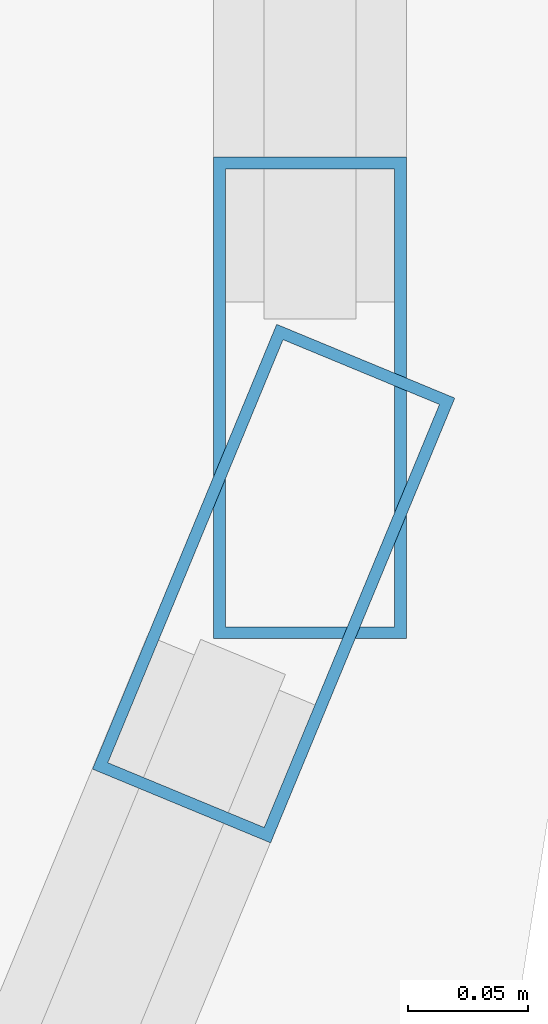
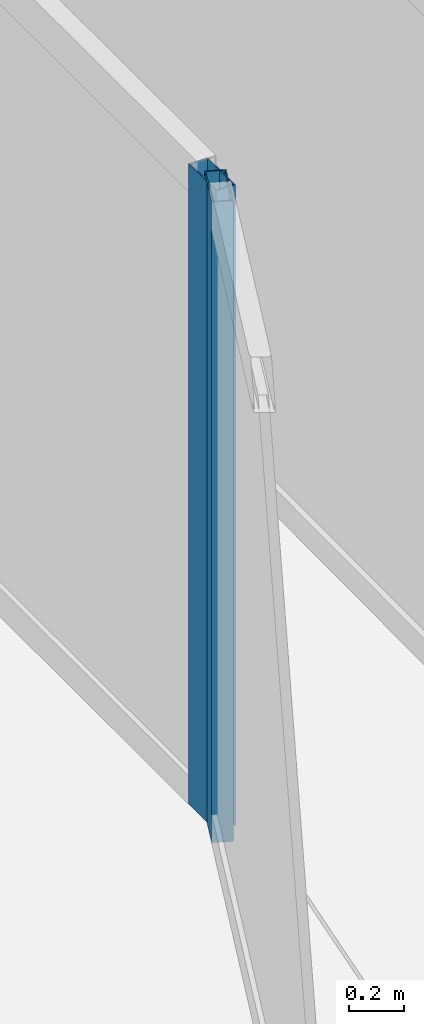
# One storey, part 8 of 21: 2 members, 2 elements without a shape of their own.
"""IFC4 building model written with IfcOpenShell, lengths in metres."""

from ifc_helpers import new_model, si_unit, direction, frame, origin, origin_2d, place, context, subcontext, project, spatial, hollow_rectangle, extrude, source, transform, mapped, material, layer, layer_set, material_profile, profile_set, type_object, element, aggregate, save


model = new_model("IFC4")

# Units and contexts
model_context = context("Model", 3, precision=1e-05, world=origin(), true_north=direction((0.0, 1.0)))
body_context = subcontext(model_context, "Body", "Model", "MODEL_VIEW")
ifc_project = project(units=[si_unit("LENGTHUNIT", "METRE"), si_unit("AREAUNIT", "SQUARE_METRE"), si_unit("VOLUMEUNIT", "CUBIC_METRE"), si_unit("PLANEANGLEUNIT", "RADIAN"), si_unit("MASSUNIT", "GRAM", prefix="KILO")], contexts=[model_context])

# Site, building, storey
site_placement = place(None, origin())
site = spatial("IfcSite", under=ifc_project, at=site_placement, CompositionType="ELEMENT")
building_placement = place(site_placement, origin())
building = spatial("IfcBuilding", under=site, at=building_placement, Name="Kolveth Station Tower", CompositionType="ELEMENT")
storey_placement = place(building_placement, frame((0.0, 0.0, 148.39990234375)))
storey = spatial("IfcBuildingStorey", under=building, at=storey_placement, Name="L41", CompositionType="ELEMENT", Elevation=148.39990234375)

# Curtain wall, member
ifc_material_1 = material(Name="Aluminium 6063-T6 and low-E dark glass", Category="aluminium")
ifc_layer = layer(ifc_material_1, 0.18994140625)
ifc_layer_set = layer_set([ifc_layer], Name="Aluminium 6063-T6 and low-E dark glass")
curtain_wall_type = type_object("IfcCurtainWallType", Name="CurtainWall_CW-Z2", PredefinedType="NOTDEFINED", material=ifc_layer_set)
curtain_wall_1_placement = place(storey_placement, origin())
curtain_wall_1 = element("IfcCurtainWall", 1, at=curtain_wall_1_placement, inside=storey, type_object=curtain_wall_type, Name="L41 Inner Thermal Curtain Wall 2", PredefinedType="NOTDEFINED")
ifc_material_2 = material(Name="Black anodized aluminium 6063-T6", Category="aluminium")
ifc_material_profile = material_profile(ifc_material_2, hollow_rectangle(XDim=0.080078125, YDim=0.199951171875, WallThickness=0.0048828125, at=origin_2d()), Name="ALU-80x200x5")
ifc_profile_set = profile_set([ifc_material_profile], Name="Black anodized aluminium 6063-T6")
member_type = type_object("IfcMemberType", Name="Mullion_ML2", PredefinedType="MULLION", material=ifc_profile_set)
shared_shape = source(origin(), body_context, "Body", "SweptSolid", [
    extrude(hollow_rectangle(XDim=0.080078125, YDim=0.199951171875, WallThickness=0.0048828125, at=origin_2d()), origin(), (0.0, 0.0, 1.0), 2.840087890625),
])
member_1_placement = place(storey_placement, frame((46.86474609375, 3.762939453125, 0.0), z_axis=(0.0, 0.0, 1.0), x_axis=(-0.923887883787, 0.38266326998, 0.0)))
member_1 = element("IfcMember", 2, at=member_1_placement, type_object=member_type, Name="CW-Z2 mullion 2", PredefinedType="MULLION", context=body_context, shape_type="MappedRepresentation", body=[
    mapped(shared_shape, transform((0.0, 0.0, 0.0), x_axis=(1.0, 0.0, 0.0), y_axis=(0.0, 1.0, 0.0), z_axis=(0.0, 0.0, 1.0), scale=1.0)),
])
aggregate(curtain_wall_1, [member_1])

curtain_wall_2_placement = place(storey_placement, origin())
curtain_wall_2 = element("IfcCurtainWall", 3, at=curtain_wall_2_placement, inside=storey, type_object=curtain_wall_type, Name="L41 Inner Thermal Curtain Wall 3", PredefinedType="NOTDEFINED")
member_2_placement = place(storey_placement, frame((46.8798828125, 3.840087890625, 0.0), z_axis=(0.0, 0.0, 1.0), x_axis=(-1.0, 0.0, 0.0)))
member_2 = element("IfcMember", 4, at=member_2_placement, type_object=member_type, Name="CW-Z2 mullion 1", PredefinedType="MULLION", context=body_context, shape_type="MappedRepresentation", body=[
    mapped(shared_shape, transform((0.0, 0.0, 0.0), x_axis=(1.0, 0.0, 0.0), y_axis=(0.0, 1.0, 0.0), z_axis=(0.0, 0.0, 1.0), scale=1.0)),
])
aggregate(curtain_wall_2, [member_2])

save(model, "model.ifc")
